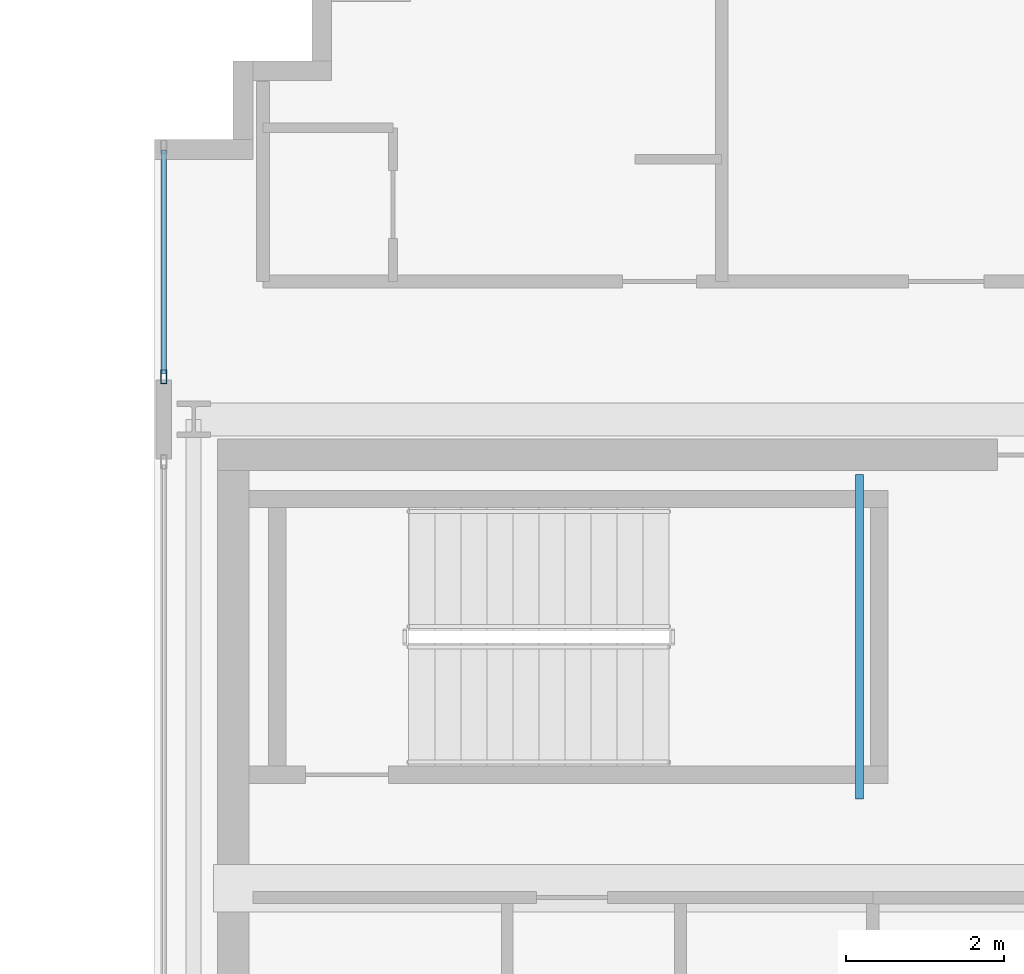
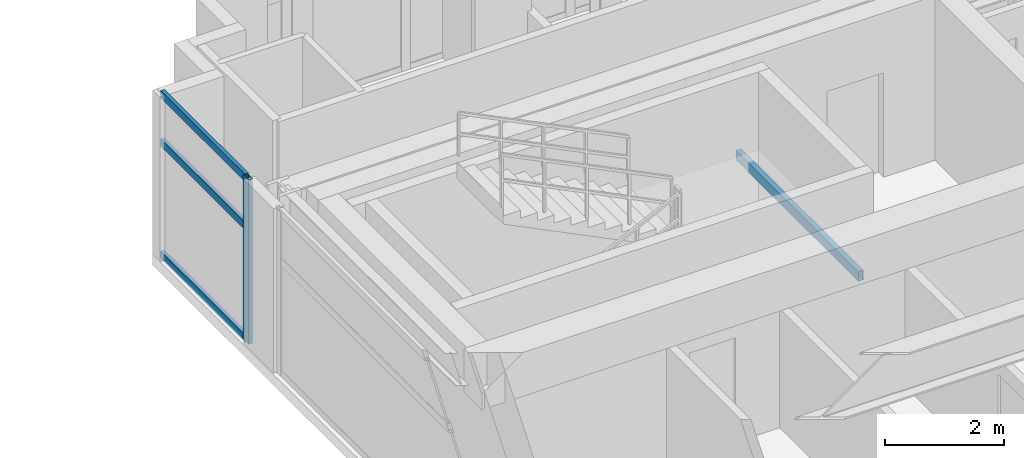
# One storey, part 13 of 25: 4 members, 1 beam, 1 element without a shape of its own.
"""IFC4 building model written with IfcOpenShell, lengths in metres."""

import ifcopenshell
import ifcopenshell.guid

model = None  # the IFC model being written
_history = None  # IfcOwnerHistory: only IFC2X3 demands one
_inside = {}  # id of a spatial element -> (the spatial element, [elements in it])
_under = {}  # id of a project, library or spatial element -> (it, [spatial elements below it])
_declared = {}  # id of a project -> (the project, [libraries it declares])
_typed = {}  # id of a type object -> (the type object, [elements of that type])
_made_of = {}  # id of a material, layer set ... -> (it, [elements and type objects made of it])


def new_model(schema):
    """Start an empty IFC model of exactly this schema.

    Asked for "IFC4X3", IfcOpenShell would pick the latest addendum, in which some entities
    have other attributes; the version numbers below select the first issue.
    IFC2X3 requires an IfcOwnerHistory on every rooted entity: one is made here for all.
    """
    global model, _history
    if schema == "IFC4X3":
        model = ifcopenshell.file(schema_version=(4, 3, 0, 0))
    else:
        model = ifcopenshell.file(schema=schema)
    _inside.clear()
    _under.clear()
    _declared.clear()
    _typed.clear()
    _made_of.clear()
    _history = None
    if model.schema == "IFC2X3":
        org = make("IfcOrganization", Name="unknown")
        user = make(
            "IfcPersonAndOrganization",
            ThePerson=make("IfcPerson", FamilyName="unknown"),
            TheOrganization=org,
        )
        app = make(
            "IfcApplication",
            ApplicationDeveloper=org,
            Version="unknown",
            ApplicationFullName="unknown",
            ApplicationIdentifier="unknown",
        )
        _history = make(
            "IfcOwnerHistory",
            OwningUser=user,
            OwningApplication=app,
            ChangeAction="ADDED",
            CreationDate=0,
        )
    return model


def make(cls, **values):
    """One entity of the class cls with the attributes given. An attribute that is None is left unset."""
    return model.create_entity(
        cls, **{name: value for name, value in values.items() if value is not None}
    )


def rooted(cls, **values):
    """An entity with a GlobalId (a new one), such as an element, a storey or a relation."""
    return make(cls, GlobalId=ifcopenshell.guid.new(), OwnerHistory=_history, **values)


def si_unit(unit_type, name, prefix=None):
    """IfcSIUnit, for example si_unit("LENGTHUNIT", "METRE", prefix="MILLI")."""
    return make("IfcSIUnit", UnitType=unit_type, Prefix=prefix, Name=name)


def assignment(units):
    """IfcUnitAssignment: the units of a project."""
    return None if units is None else make("IfcUnitAssignment", Units=units)


def point(xyz):
    """IfcCartesianPoint."""
    return None if xyz is None else make("IfcCartesianPoint", Coordinates=xyz)


def direction(xyz):
    """IfcDirection."""
    return None if xyz is None else make("IfcDirection", DirectionRatios=xyz)


def frame(location, z_axis=None, x_axis=None):
    """IfcAxis2Placement3D, a coordinate frame: its origin and axes. An axis left out is left unset."""
    return make(
        "IfcAxis2Placement3D",
        Location=point(location),
        Axis=direction(z_axis),
        RefDirection=direction(x_axis),
    )


def frame_2d(location, x_axis=None):
    """IfcAxis2Placement2D, a coordinate frame in the plane: its origin and x axis."""
    return make(
        "IfcAxis2Placement2D", Location=point(location), RefDirection=direction(x_axis)
    )


def origin():
    """The frame at (0, 0, 0) with its axes left unset."""
    return frame((0.0, 0.0, 0.0))


def origin_2d():
    """The frame at (0, 0) in the plane with its x axis left unset."""
    return frame_2d((0.0, 0.0))


def place(relative_to, where):
    """IfcLocalPlacement: puts the frame where relative to a parent placement (None: the world)."""
    return make(
        "IfcLocalPlacement", PlacementRelTo=relative_to, RelativePlacement=where
    )


def context(
    kind, dimensions, precision=None, world=None, true_north=None, identifier=None
):
    """IfcGeometricRepresentationContext, for example the 3D "Model" context."""
    return make(
        "IfcGeometricRepresentationContext",
        ContextIdentifier=identifier,
        ContextType=kind,
        CoordinateSpaceDimension=dimensions,
        Precision=precision,
        WorldCoordinateSystem=world,
        TrueNorth=true_north,
    )


def subcontext(parent, identifier, kind, view, scale=None):
    """IfcGeometricRepresentationSubContext, for example "Body" below "Model"."""
    return make(
        "IfcGeometricRepresentationSubContext",
        ContextIdentifier=identifier,
        ContextType=kind,
        ParentContext=parent,
        TargetScale=scale,
        TargetView=view,
    )


def project(units=None, contexts=None):
    """IfcProject with its units and contexts."""
    return rooted(
        "IfcProject",
        Name="project",
        RepresentationContexts=contexts,
        UnitsInContext=assignment(units),
    )


def spatial(cls, under=None, at=None, **own):
    """A site, building, storey or space (cls), placed at a placement, below another one or the project."""
    s = rooted(cls, ObjectPlacement=at, **own)
    if under is not None:
        _under.setdefault(under.id(), (under, []))[1].append(s)
    return s


def profile(cls, at=None, kind="AREA", **sizes):
    """A parametric profile (cls). Its sizes go by their IFC names, for example OverallWidth=200.0."""
    return make(cls, ProfileType=kind, Position=at, **sizes)


def hollow_rectangle(**sizes):
    """IfcRectangleHollowProfileDef."""
    return profile("IfcRectangleHollowProfileDef", **sizes)


def extrude(swept, where, along, depth):
    """IfcExtrudedAreaSolid: the profile swept, set in the frame where, extruded along a direction by depth."""
    return make(
        "IfcExtrudedAreaSolid",
        SweptArea=swept,
        Position=where,
        ExtrudedDirection=direction(along),
        Depth=depth,
    )


def shape(context_of_items, identifier, shape_type, items):
    """IfcShapeRepresentation: the items that make up one representation, for example the "Body"."""
    return make(
        "IfcShapeRepresentation",
        ContextOfItems=context_of_items,
        RepresentationIdentifier=identifier,
        RepresentationType=shape_type,
        Items=items,
    )


def source(mapping_origin, context_of_items, identifier, shape_type, items):
    """IfcRepresentationMap: a shape defined once, which mapped items show again and again."""
    return make(
        "IfcRepresentationMap",
        MappingOrigin=mapping_origin,
        MappedRepresentation=shape(context_of_items, identifier, shape_type, items),
    )


def transform(
    local_origin,
    x_axis=None,
    y_axis=None,
    z_axis=None,
    scale=None,
    scale2=None,
    scale3=None,
    uniform=True,
):
    """IfcCartesianTransformationOperator3D, or its non-uniform kind. x_axis, y_axis, z_axis: its Axis1, 2, 3."""
    if uniform:
        return make(
            "IfcCartesianTransformationOperator3D",
            Axis1=direction(x_axis),
            Axis2=direction(y_axis),
            LocalOrigin=point(local_origin),
            Scale=scale,
            Axis3=direction(z_axis),
        )
    return make(
        "IfcCartesianTransformationOperator3DnonUniform",
        Axis1=direction(x_axis),
        Axis2=direction(y_axis),
        LocalOrigin=point(local_origin),
        Scale=scale,
        Axis3=direction(z_axis),
        Scale2=scale2,
        Scale3=scale3,
    )


def mapped(mapping_source, mapping_target):
    """IfcMappedItem: shows the shape of a source again, moved by a transform."""
    return make(
        "IfcMappedItem", MappingSource=mapping_source, MappingTarget=mapping_target
    )


def material(Name=None, Category=None):
    """IfcMaterial."""
    return make("IfcMaterial", Name=Name, Category=Category)


def layer(
    of_material, thickness, ventilated=None, Name=None, Category=None, Priority=None
):
    """IfcMaterialLayer: one layer of a wall or slab, of a material (None: an air gap)."""
    return make(
        "IfcMaterialLayer",
        Material=of_material,
        LayerThickness=thickness,
        IsVentilated=ventilated,
        Name=Name,
        Category=Category,
        Priority=Priority,
    )


def layer_set(layers, Name=None):
    """IfcMaterialLayerSet."""
    return make("IfcMaterialLayerSet", MaterialLayers=layers, LayerSetName=Name)


def material_profile(
    of_material, cross_section, Name=None, Category=None, Priority=None
):
    """IfcMaterialProfile: a cross section and its material."""
    return make(
        "IfcMaterialProfile",
        Name=Name,
        Material=of_material,
        Profile=cross_section,
        Priority=Priority,
        Category=Category,
    )


def profile_set(profiles, Name=None, composite=None):
    """IfcMaterialProfileSet."""
    return make(
        "IfcMaterialProfileSet",
        Name=Name,
        MaterialProfiles=profiles,
        CompositeProfile=composite,
    )


def made_of(thing, what):
    """Note that an element or type object is made of a material, layer set ...; save() writes the relation."""
    if what is not None:
        _made_of.setdefault(what.id(), (what, []))[1].append(thing)
    return thing


def type_object(cls, material=None, **own):
    """A type object (cls), such as IfcWallType, which elements share."""
    return made_of(rooted(cls, **own), material)


def element(
    cls,
    number,
    at=None,
    inside=None,
    cuts=None,
    type_object=None,
    material=None,
    context=None,
    identifier="Body",
    shape_type=None,
    held_by="IfcProductDefinitionShape",
    body=None,
    shapes=None,
    **own,
):
    """One element of the class cls, such as IfcWall. Its Tag is "e" and its number.

    at: its placement. inside: the storey or other place that contains it. cuts: it is an
    opening in that element (IfcRelVoidsElement). A single representation is given by context,
    identifier, shape_type and body (its items); several are given by shapes. held_by: the class
    of the entity that holds the representations. save() writes the other relations.
    """
    e = rooted(cls, Tag="e%d" % number, ObjectPlacement=at, **own)
    if body is not None:
        shapes = [shape(context, identifier, shape_type, body)]
    if shapes is not None:
        e.Representation = make(held_by, Representations=shapes)
    if inside is not None:
        _inside.setdefault(inside.id(), (inside, []))[1].append(e)
    if cuts is not None:
        rooted(
            "IfcRelVoidsElement", RelatingBuildingElement=cuts, RelatedOpeningElement=e
        )
    if type_object is not None:
        _typed.setdefault(type_object.id(), (type_object, []))[1].append(e)
    return made_of(e, material)


def aggregate(whole, parts):
    """IfcRelAggregates: a whole, such as a stair, and the parts it consists of."""
    return rooted("IfcRelAggregates", RelatingObject=whole, RelatedObjects=parts)


def save(model, path):
    """Write the relations noted so far, then the file.

    IfcRelAggregates (storeys below a building ...), IfcRelContainedInSpatialStructure (elements
    in a storey), IfcRelDefinesByType, IfcRelAssociatesMaterial and IfcRelDeclares: one each for
    every whole, place, type object, material and project.
    """
    for whole, parts in _under.values():
        aggregate(whole, parts)
    for where, things in _inside.values():
        rooted(
            "IfcRelContainedInSpatialStructure",
            RelatedElements=things,
            RelatingStructure=where,
        )
    for kind, things in _typed.values():
        rooted("IfcRelDefinesByType", RelatedObjects=things, RelatingType=kind)
    for what, things in _made_of.values():
        rooted("IfcRelAssociatesMaterial", RelatedObjects=things, RelatingMaterial=what)
    for by, libraries in _declared.values():
        rooted("IfcRelDeclares", RelatingContext=by, RelatedDefinitions=libraries)
    model.write(path)


model = new_model("IFC4")

# Units and contexts
model_context = context("Model", 3, precision=1e-05, world=origin(), true_north=direction((0.0, 1.0)))
body_context = subcontext(model_context, "Body", "Model", "MODEL_VIEW")
ifc_project = project(units=[si_unit("LENGTHUNIT", "METRE"), si_unit("AREAUNIT", "SQUARE_METRE"), si_unit("VOLUMEUNIT", "CUBIC_METRE"), si_unit("PLANEANGLEUNIT", "RADIAN"), si_unit("MASSUNIT", "GRAM", prefix="KILO")], contexts=[model_context])

# Site, building, storey
site_placement = place(None, origin())
site = spatial("IfcSite", under=ifc_project, at=site_placement, CompositionType="ELEMENT")
building_placement = place(site_placement, origin())
building = spatial("IfcBuilding", under=site, at=building_placement, Name="Ocotamira Hotel", CompositionType="ELEMENT")
storey_placement = place(building_placement, frame((0.0, 0.0, 254.39990234375)))
storey = spatial("IfcBuildingStorey", under=building, at=storey_placement, Name="L64", CompositionType="ELEMENT", Elevation=254.39990234375)

# Beam
ifc_material_1 = material(Name="Steel ASTM A500 Grade C", Category="steel")
ifc_material_profile_1 = material_profile(ifc_material_1, hollow_rectangle(XDim=0.10009765625, YDim=0.199951171875, WallThickness=0.008056640625, at=origin_2d()), Name="HSS200X100X8")
ifc_profile_set_1 = profile_set([ifc_material_profile_1], Name="Steel ASTM A500 Grade C")
beam_type = type_object("IfcBeamType", Name="BM-STLDG-HSS200", PredefinedType="BEAM", material=ifc_profile_set_1)
shared_shape_1 = source(origin(), body_context, "Body", "SweptSolid", [
    extrude(hollow_rectangle(XDim=0.10009765625, YDim=0.199951171875, WallThickness=0.008056640625, at=origin_2d()), origin(), (0.0, 0.0, 1.0), 4.1201171875),
])
beam_placement = place(storey_placement, frame((48.949951171875, 32.6298828125, 1.5), z_axis=(0.0, 1.0, 0.0), x_axis=(-1.0, 0.0, 0.0)))
element("IfcBeam", 1, at=beam_placement, inside=storey, type_object=beam_type, Name="L64 Stair ST-4 Landing Bearer 1", PredefinedType="BEAM", context=body_context, shape_type="MappedRepresentation", body=[
    mapped(shared_shape_1, transform((0.0, 0.0, 0.0), scale=1.0)),
])

# Curtain wall, members
ifc_material_2 = material(Name="Anodised pale-metal aluminium and solar glass", Category="aluminium")
ifc_layer = layer(ifc_material_2, 0.2099609375)
ifc_layer_set = layer_set([ifc_layer], Name="Anodised pale-metal aluminium and solar glass")
curtain_wall_type = type_object("IfcCurtainWallType", Name="CW-SYS7-PEAK", PredefinedType="NOTDEFINED", material=ifc_layer_set)
curtain_wall_placement = place(storey_placement, origin())
curtain_wall = element("IfcCurtainWall", 2, at=curtain_wall_placement, inside=storey, type_object=curtain_wall_type, Name="L64 Curtain Wall CW-7 CW-L64-EI4", PredefinedType="NOTDEFINED")
ifc_material_3 = material(Name="Anodised pale-metal aluminium 6063-T6", Category="aluminium")
ifc_material_profile_2 = material_profile(ifc_material_3, hollow_rectangle(XDim=0.080078125, YDim=0.179931640625, WallThickness=0.006103515625, at=origin_2d()), Name="HSS180X80X6")
ifc_profile_set_2 = profile_set([ifc_material_profile_2], Name="Anodised pale-metal aluminium 6063-T6")
member_type_1 = type_object("IfcMemberType", Name="CWM-180X75", PredefinedType="MULLION", material=ifc_profile_set_2)
shared_shape_2 = source(origin(), body_context, "Body", "SweptSolid", [
    extrude(hollow_rectangle(XDim=0.080078125, YDim=0.179931640625, WallThickness=0.006103515625, at=origin_2d()), origin(), (0.0, 0.0, 1.0), 3.380126953125),
])
member_1_placement = place(storey_placement, frame((40.1201171875, 37.989990234375, 0.0), z_axis=(0.0, 0.0, 1.0), x_axis=(-1.0, 0.0, 0.0)))
member_1 = element("IfcMember", 3, at=member_1_placement, type_object=member_type_1, Name="CW-7 mullion 1", PredefinedType="MULLION", context=body_context, shape_type="MappedRepresentation", body=[
    mapped(shared_shape_2, transform((0.0, 0.0, 0.0), scale=1.0)),
])
ifc_material_profile_3 = material_profile(ifc_material_3, hollow_rectangle(XDim=0.074951171875, YDim=0.14990234375, WallThickness=0.006103515625, at=origin_2d()), Name="HSS150X75X6")
ifc_profile_set_3 = profile_set([ifc_material_profile_3], Name="Anodised pale-metal aluminium 6063-T6")
member_type_2 = type_object("IfcMemberType", Name="CWT-150X75", PredefinedType="USERDEFINED", material=ifc_profile_set_3)
shared_shape_3 = source(origin(), body_context, "Body", "SweptSolid", [
    extrude(hollow_rectangle(XDim=0.074951171875, YDim=0.14990234375, WallThickness=0.006103515625, at=origin_2d()), origin(), (0.0, 0.0, 1.0), 2.840087890625),
])
member_2_placement = place(storey_placement, frame((40.1201171875, 38.030029296875, 0.03759765625), z_axis=(0.0, 1.0, 0.0), x_axis=(-1.0, 0.0, 0.0)))
member_2 = element("IfcMember", 4, at=member_2_placement, type_object=member_type_2, Name="CW-7 transom 1.1", ObjectType="TRANSOM", PredefinedType="USERDEFINED", context=body_context, shape_type="MappedRepresentation", body=[
    mapped(shared_shape_3, transform((0.0, 0.0, 0.0), scale=1.0)),
])
member_3_placement = place(storey_placement, frame((40.1201171875, 38.030029296875, 2.35009765625), z_axis=(0.0, 1.0, 0.0), x_axis=(-1.0, 0.0, 0.0)))
member_3 = element("IfcMember", 5, at=member_3_placement, type_object=member_type_2, Name="CW-7 transom 1.2", ObjectType="TRANSOM", PredefinedType="USERDEFINED", context=body_context, shape_type="MappedRepresentation", body=[
    mapped(shared_shape_3, transform((0.0, 0.0, 0.0), scale=1.0)),
])
member_4_placement = place(storey_placement, frame((40.1201171875, 38.030029296875, 3.342529296875), z_axis=(0.0, 1.0, 0.0), x_axis=(-1.0, 0.0, 0.0)))
member_4 = element("IfcMember", 6, at=member_4_placement, type_object=member_type_2, Name="CW-7 transom 1.3", ObjectType="TRANSOM", PredefinedType="USERDEFINED", context=body_context, shape_type="MappedRepresentation", body=[
    mapped(shared_shape_3, transform((0.0, 0.0, 0.0), scale=1.0)),
])
aggregate(curtain_wall, [member_1, member_2, member_3, member_4])

save(model, "model.ifc")
